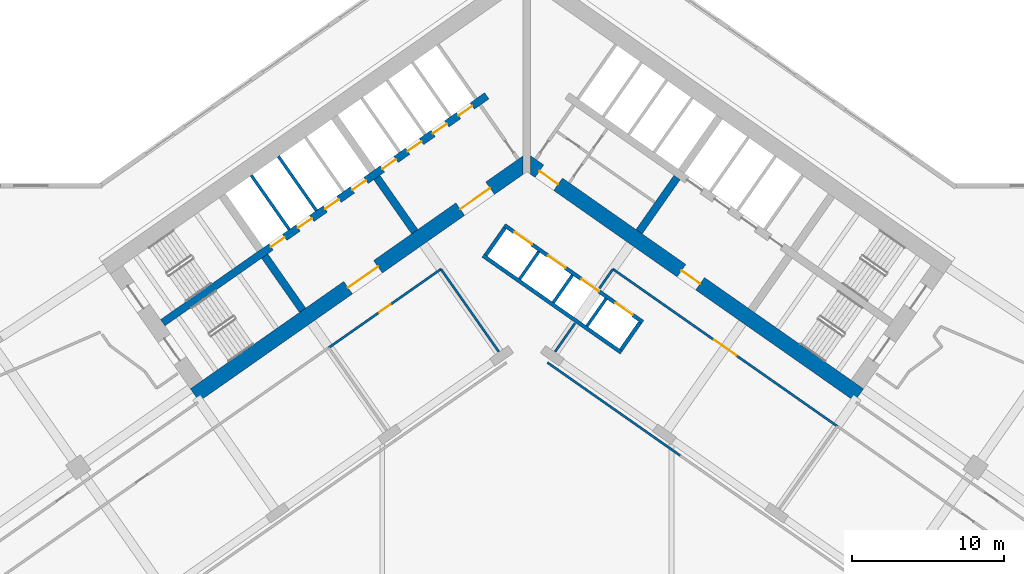
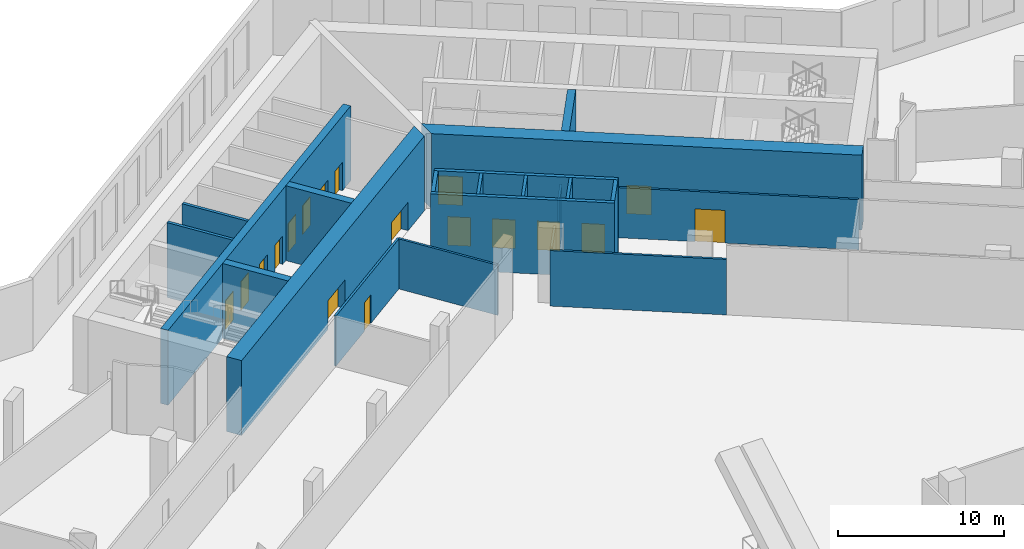
# One storey, part 10 of 26: 21 walls, 18 doors, 18 openings.
"""IFC4 building model written with IfcOpenShell, lengths in metres."""

import ifcopenshell
import ifcopenshell.guid

model = None  # the IFC model being written
_history = None  # IfcOwnerHistory: only IFC2X3 demands one
_inside = {}  # id of a spatial element -> (the spatial element, [elements in it])
_under = {}  # id of a project, library or spatial element -> (it, [spatial elements below it])
_declared = {}  # id of a project -> (the project, [libraries it declares])
_typed = {}  # id of a type object -> (the type object, [elements of that type])
_made_of = {}  # id of a material, layer set ... -> (it, [elements and type objects made of it])


def new_model(schema):
    """Start an empty IFC model of exactly this schema.

    Asked for "IFC4X3", IfcOpenShell would pick the latest addendum, in which some entities
    have other attributes; the version numbers below select the first issue.
    IFC2X3 requires an IfcOwnerHistory on every rooted entity: one is made here for all.
    """
    global model, _history
    if schema == "IFC4X3":
        model = ifcopenshell.file(schema_version=(4, 3, 0, 0))
    else:
        model = ifcopenshell.file(schema=schema)
    _inside.clear()
    _under.clear()
    _declared.clear()
    _typed.clear()
    _made_of.clear()
    _history = None
    if model.schema == "IFC2X3":
        org = make("IfcOrganization", Name="unknown")
        user = make(
            "IfcPersonAndOrganization",
            ThePerson=make("IfcPerson", FamilyName="unknown"),
            TheOrganization=org,
        )
        app = make(
            "IfcApplication",
            ApplicationDeveloper=org,
            Version="unknown",
            ApplicationFullName="unknown",
            ApplicationIdentifier="unknown",
        )
        _history = make(
            "IfcOwnerHistory",
            OwningUser=user,
            OwningApplication=app,
            ChangeAction="ADDED",
            CreationDate=0,
        )
    return model


def make(cls, **values):
    """One entity of the class cls with the attributes given. An attribute that is None is left unset."""
    return model.create_entity(
        cls, **{name: value for name, value in values.items() if value is not None}
    )


def rooted(cls, **values):
    """An entity with a GlobalId (a new one), such as an element, a storey or a relation."""
    return make(cls, GlobalId=ifcopenshell.guid.new(), OwnerHistory=_history, **values)


def si_unit(unit_type, name, prefix=None):
    """IfcSIUnit, for example si_unit("LENGTHUNIT", "METRE", prefix="MILLI")."""
    return make("IfcSIUnit", UnitType=unit_type, Prefix=prefix, Name=name)


def assignment(units):
    """IfcUnitAssignment: the units of a project."""
    return None if units is None else make("IfcUnitAssignment", Units=units)


def point(xyz):
    """IfcCartesianPoint."""
    return None if xyz is None else make("IfcCartesianPoint", Coordinates=xyz)


def direction(xyz):
    """IfcDirection."""
    return None if xyz is None else make("IfcDirection", DirectionRatios=xyz)


def frame(location, z_axis=None, x_axis=None):
    """IfcAxis2Placement3D, a coordinate frame: its origin and axes. An axis left out is left unset."""
    return make(
        "IfcAxis2Placement3D",
        Location=point(location),
        Axis=direction(z_axis),
        RefDirection=direction(x_axis),
    )


def frame_2d(location, x_axis=None):
    """IfcAxis2Placement2D, a coordinate frame in the plane: its origin and x axis."""
    return make(
        "IfcAxis2Placement2D", Location=point(location), RefDirection=direction(x_axis)
    )


def origin():
    """The frame at (0, 0, 0) with its axes left unset."""
    return frame((0.0, 0.0, 0.0))


def place(relative_to, where):
    """IfcLocalPlacement: puts the frame where relative to a parent placement (None: the world)."""
    return make(
        "IfcLocalPlacement", PlacementRelTo=relative_to, RelativePlacement=where
    )


def context(
    kind, dimensions, precision=None, world=None, true_north=None, identifier=None
):
    """IfcGeometricRepresentationContext, for example the 3D "Model" context."""
    return make(
        "IfcGeometricRepresentationContext",
        ContextIdentifier=identifier,
        ContextType=kind,
        CoordinateSpaceDimension=dimensions,
        Precision=precision,
        WorldCoordinateSystem=world,
        TrueNorth=true_north,
    )


def subcontext(parent, identifier, kind, view, scale=None):
    """IfcGeometricRepresentationSubContext, for example "Body" below "Model"."""
    return make(
        "IfcGeometricRepresentationSubContext",
        ContextIdentifier=identifier,
        ContextType=kind,
        ParentContext=parent,
        TargetScale=scale,
        TargetView=view,
    )


def project(units=None, contexts=None):
    """IfcProject with its units and contexts."""
    return rooted(
        "IfcProject",
        Name="project",
        RepresentationContexts=contexts,
        UnitsInContext=assignment(units),
    )


def spatial(cls, under=None, at=None, **own):
    """A site, building, storey or space (cls), placed at a placement, below another one or the project."""
    s = rooted(cls, ObjectPlacement=at, **own)
    if under is not None:
        _under.setdefault(under.id(), (under, []))[1].append(s)
    return s


def polyline(points):
    """IfcPolyline through the points."""
    return make("IfcPolyline", Points=[point(p) for p in points])


def profile(cls, at=None, kind="AREA", **sizes):
    """A parametric profile (cls). Its sizes go by their IFC names, for example OverallWidth=200.0."""
    return make(cls, ProfileType=kind, Position=at, **sizes)


def rectangle(**sizes):
    """IfcRectangleProfileDef."""
    return profile("IfcRectangleProfileDef", **sizes)


def outline(outer, holes=None, kind="AREA"):
    """IfcArbitraryClosedProfileDef: a profile drawn as a closed curve; with holes, ...WithVoids."""
    if holes is None:
        return make("IfcArbitraryClosedProfileDef", ProfileType=kind, OuterCurve=outer)
    return make(
        "IfcArbitraryProfileDefWithVoids",
        ProfileType=kind,
        OuterCurve=outer,
        InnerCurves=holes,
    )


def extrude(swept, where, along, depth):
    """IfcExtrudedAreaSolid: the profile swept, set in the frame where, extruded along a direction by depth."""
    return make(
        "IfcExtrudedAreaSolid",
        SweptArea=swept,
        Position=where,
        ExtrudedDirection=direction(along),
        Depth=depth,
    )


def shape(context_of_items, identifier, shape_type, items):
    """IfcShapeRepresentation: the items that make up one representation, for example the "Body"."""
    return make(
        "IfcShapeRepresentation",
        ContextOfItems=context_of_items,
        RepresentationIdentifier=identifier,
        RepresentationType=shape_type,
        Items=items,
    )


def material(Name=None, Category=None):
    """IfcMaterial."""
    return make("IfcMaterial", Name=Name, Category=Category)


def layer(
    of_material, thickness, ventilated=None, Name=None, Category=None, Priority=None
):
    """IfcMaterialLayer: one layer of a wall or slab, of a material (None: an air gap)."""
    return make(
        "IfcMaterialLayer",
        Material=of_material,
        LayerThickness=thickness,
        IsVentilated=ventilated,
        Name=Name,
        Category=Category,
        Priority=Priority,
    )


def layer_set(layers, Name=None):
    """IfcMaterialLayerSet."""
    return make("IfcMaterialLayerSet", MaterialLayers=layers, LayerSetName=Name)


def made_of(thing, what):
    """Note that an element or type object is made of a material, layer set ...; save() writes the relation."""
    if what is not None:
        _made_of.setdefault(what.id(), (what, []))[1].append(thing)
    return thing


def type_object(cls, material=None, **own):
    """A type object (cls), such as IfcWallType, which elements share."""
    return made_of(rooted(cls, **own), material)


def element(
    cls,
    number,
    at=None,
    inside=None,
    cuts=None,
    type_object=None,
    material=None,
    context=None,
    identifier="Body",
    shape_type=None,
    held_by="IfcProductDefinitionShape",
    body=None,
    shapes=None,
    **own,
):
    """One element of the class cls, such as IfcWall. Its Tag is "e" and its number.

    at: its placement. inside: the storey or other place that contains it. cuts: it is an
    opening in that element (IfcRelVoidsElement). A single representation is given by context,
    identifier, shape_type and body (its items); several are given by shapes. held_by: the class
    of the entity that holds the representations. save() writes the other relations.
    """
    e = rooted(cls, Tag="e%d" % number, ObjectPlacement=at, **own)
    if body is not None:
        shapes = [shape(context, identifier, shape_type, body)]
    if shapes is not None:
        e.Representation = make(held_by, Representations=shapes)
    if inside is not None:
        _inside.setdefault(inside.id(), (inside, []))[1].append(e)
    if cuts is not None:
        rooted(
            "IfcRelVoidsElement", RelatingBuildingElement=cuts, RelatedOpeningElement=e
        )
    if type_object is not None:
        _typed.setdefault(type_object.id(), (type_object, []))[1].append(e)
    return made_of(e, material)


def fill(opening, filler):
    """IfcRelFillsElement: the door or window that sits in an opening."""
    return rooted(
        "IfcRelFillsElement",
        RelatingOpeningElement=opening,
        RelatedBuildingElement=filler,
    )


def aggregate(whole, parts):
    """IfcRelAggregates: a whole, such as a stair, and the parts it consists of."""
    return rooted("IfcRelAggregates", RelatingObject=whole, RelatedObjects=parts)


def save(model, path):
    """Write the relations noted so far, then the file.

    IfcRelAggregates (storeys below a building ...), IfcRelContainedInSpatialStructure (elements
    in a storey), IfcRelDefinesByType, IfcRelAssociatesMaterial and IfcRelDeclares: one each for
    every whole, place, type object, material and project.
    """
    for whole, parts in _under.values():
        aggregate(whole, parts)
    for where, things in _inside.values():
        rooted(
            "IfcRelContainedInSpatialStructure",
            RelatedElements=things,
            RelatingStructure=where,
        )
    for kind, things in _typed.values():
        rooted("IfcRelDefinesByType", RelatedObjects=things, RelatingType=kind)
    for what, things in _made_of.values():
        rooted("IfcRelAssociatesMaterial", RelatedObjects=things, RelatingMaterial=what)
    for by, libraries in _declared.values():
        rooted("IfcRelDeclares", RelatingContext=by, RelatedDefinitions=libraries)
    model.write(path)


model = new_model("IFC4")

# Units and contexts
model_context = context("Model", 3, precision=1e-05, world=origin(), true_north=direction((0.0, 1.0)))
body_context = subcontext(model_context, "Body", "Model", "MODEL_VIEW")
ifc_project = project(units=[si_unit("LENGTHUNIT", "METRE"), si_unit("AREAUNIT", "SQUARE_METRE"), si_unit("VOLUMEUNIT", "CUBIC_METRE"), si_unit("PLANEANGLEUNIT", "RADIAN"), si_unit("MASSUNIT", "GRAM", prefix="KILO")], contexts=[model_context])

# Site, building, storey
site_placement = place(None, origin())
site = spatial("IfcSite", under=ifc_project, at=site_placement, CompositionType="ELEMENT")
building_placement = place(site_placement, origin())
building = spatial("IfcBuilding", under=site, at=building_placement, Name="Tel Ilan Convention Tower", CompositionType="ELEMENT")
storey_placement = place(building_placement, frame((0.0, 0.0, 32.0)))
storey = spatial("IfcBuildingStorey", under=building, at=storey_placement, Name="L04", CompositionType="ELEMENT", Elevation=32.0)

# Wall, openings, doors
ifc_material_1 = material(Name="Concrete C60/75", Category="concrete")
ifc_layer_1 = layer(ifc_material_1, 1.0)
ifc_layer_set_1 = layer_set([ifc_layer_1], Name="Core Shear Wall 1000 mm C60/75")
wall_type_1 = type_object("IfcWallType", Name="Core Shear Wall 1000 mm C60/75", PredefinedType="SHEAR", material=ifc_layer_set_1)
wall_1_placement = place(storey_placement, frame((0.036865234375, -0.584716796875, 0.0), z_axis=(0.0, 0.0, 1.0), x_axis=(-0.819157152511, -0.573569140985, 0.0)))
wall_1 = element("IfcWall", 1, at=wall_1_placement, inside=storey, type_object=wall_type_1, Name="L04 core wall W-front", PredefinedType="SHEAR", context=body_context, shape_type="SweptSolid", body=[
    extrude(outline(polyline([(26.69482421875, 0.500244140625), (0.7001953125, 0.499755859375), (0.0, -0.5), (26.69482421875, -0.499755859375), (26.69482421875, 0.500244140625)])), origin(), (0.0, 0.0, 1.0), 5.5),
])
opening_1_placement = place(wall_1_placement, frame((2.994873046875, 0.0, 0.0)))
opening_1 = element("IfcOpeningElement", 2, at=opening_1_placement, cuts=wall_1, Name="Opening CD0705", PredefinedType="OPENING", context=body_context, shape_type="SweptSolid", body=[
    extrude(rectangle(XDim=2.39990234375, YDim=2.10009765625, at=frame_2d((1.199951171875, 1.050048828125))), frame((0.0, 0.510009765625, 0.0), z_axis=(0.0, -1.0, 0.0), x_axis=(1.0, 0.0, 0.0)), (0.0, 0.0, 1.0), 1.02001953125),
])
opening_2_placement = place(wall_1_placement, frame((11.994873046875, 0.0, 0.0)))
opening_2 = element("IfcOpeningElement", 3, at=opening_2_placement, cuts=wall_1, Name="Opening CD0706", PredefinedType="OPENING", context=body_context, shape_type="SweptSolid", body=[
    extrude(rectangle(XDim=2.39990234375, YDim=2.10009765625, at=frame_2d((1.199951171875, 1.050048828125))), frame((0.0, 0.510009765625, 0.0), z_axis=(0.0, -1.0, 0.0), x_axis=(1.0, 0.0, 0.0)), (0.0, 0.0, 1.0), 1.02001953125),
])
ifc_material_2 = material(Name="Glazed Aluminium Door Leaf", Category="aluminium")
door_type_1 = type_object("IfcDoorType", Name="Lobby Opening Door 2400 x 2100 FD60S", OperationType="NOTDEFINED", PredefinedType="DOOR", material=ifc_material_2)
door_1_placement = place(opening_1_placement, origin())
door_1 = element("IfcDoor", 4, at=door_1_placement, inside=storey, type_object=door_type_1, Name="Lift Lobby LR1-LR4 opening", OperationType="DOUBLE_DOOR_SINGLE_SWING", OverallHeight=2.10009765625, OverallWidth=2.39990234375, PredefinedType="DOOR", context=body_context, shape_type="SweptSolid", body=[
    extrude(rectangle(XDim=2.39990234375, YDim=2.10009765625, at=frame_2d((1.199951171875, 1.050048828125))), frame((0.0, 0.02490234375, 0.0), z_axis=(0.0, -1.0, 0.0), x_axis=(1.0, 0.0, 0.0)), (0.0, 0.0, 1.0), 0.050048828125),
])
fill(opening_1, door_1)
door_2_placement = place(opening_2_placement, origin())
door_2 = element("IfcDoor", 5, at=door_2_placement, inside=storey, type_object=door_type_1, Name="Lift Lobby LR5-LR8 opening", OperationType="DOUBLE_DOOR_SINGLE_SWING", OverallHeight=2.10009765625, OverallWidth=2.39990234375, PredefinedType="DOOR", context=body_context, shape_type="SweptSolid", body=[
    extrude(rectangle(XDim=2.39990234375, YDim=2.10009765625, at=frame_2d((1.199951171875, 1.050048828125))), frame((0.0, 0.02490234375, 0.0), z_axis=(0.0, -1.0, 0.0), x_axis=(1.0, 0.0, 0.0)), (0.0, 0.0, 1.0), 0.050048828125),
])
fill(opening_2, door_2)

wall_2_placement = place(storey_placement, frame((-0.036865234375, -0.584716796875, 0.0), z_axis=(0.0, 0.0, 1.0), x_axis=(0.819157152511, -0.573569140985, 0.0)))
wall_2 = element("IfcWall", 6, at=wall_2_placement, inside=storey, type_object=wall_type_1, Name="L04 core wall E-front", PredefinedType="SHEAR", context=body_context, shape_type="SweptSolid", body=[
    extrude(outline(polyline([(26.69482421875, 0.499755859375), (0.0, 0.5), (0.7001953125, -0.499755859375), (26.69482421875, -0.500244140625), (26.69482421875, 0.499755859375)])), origin(), (0.0, 0.0, 1.0), 5.5),
])
opening_3_placement = place(wall_2_placement, frame((1.044921875, 0.0, 0.0)))
opening_3 = element("IfcOpeningElement", 7, at=opening_3_placement, cuts=wall_2, Name="Opening CD0703", PredefinedType="OPENING", context=body_context, shape_type="SweptSolid", body=[
    extrude(rectangle(XDim=1.5, YDim=2.10009765625, at=frame_2d((0.75, 1.050048828125))), frame((0.0, 0.510009765625, 0.0), z_axis=(0.0, -1.0, 0.0), x_axis=(1.0, 0.0, 0.0)), (0.0, 0.0, 1.0), 1.02001953125),
])
opening_4_placement = place(wall_2_placement, frame((12.44482421875, 0.0, 0.0)))
opening_4 = element("IfcOpeningElement", 8, at=opening_4_placement, cuts=wall_2, Name="Opening CD0704", PredefinedType="OPENING", context=body_context, shape_type="SweptSolid", body=[
    extrude(rectangle(XDim=1.5, YDim=2.10009765625, at=frame_2d((0.75, 1.050048828125))), frame((0.0, 0.510009765625, 0.0), z_axis=(0.0, -1.0, 0.0), x_axis=(1.0, 0.0, 0.0)), (0.0, 0.0, 1.0), 1.02001953125),
])
ifc_material_3 = material(Name="Glazed Aluminium Door Leaf", Category="aluminium")
door_type_2 = type_object("IfcDoorType", Name="Lobby Opening Door 1500 x 2100 FD60S", OperationType="NOTDEFINED", PredefinedType="DOOR", material=ifc_material_3)
door_3_placement = place(opening_4_placement, origin())
door_3 = element("IfcDoor", 9, at=door_3_placement, inside=storey, type_object=door_type_2, Name="Firefighting Lobby door", OperationType="DOUBLE_DOOR_SINGLE_SWING", OverallHeight=2.10009765625, OverallWidth=1.5, PredefinedType="DOOR", context=body_context, shape_type="SweptSolid", body=[
    extrude(rectangle(XDim=1.5, YDim=2.10009765625, at=frame_2d((0.75, 1.050048828125))), frame((0.0, 0.02490234375, 0.0), z_axis=(0.0, -1.0, 0.0), x_axis=(1.0, 0.0, 0.0)), (0.0, 0.0, 1.0), 0.050048828125),
])
fill(opening_4, door_3)
ifc_material_4 = material(Name="Laminated Timber Door Leaf", Category="wood")
door_type_3 = type_object("IfcDoorType", Name="Toilet Door 1500 x 2100 FD30S", OperationType="NOTDEFINED", PredefinedType="DOOR", material=ifc_material_4)
door_4_placement = place(opening_3_placement, origin())
door_4 = element("IfcDoor", 10, at=door_4_placement, inside=storey, type_object=door_type_3, Name="WC Lobby door", OperationType="SINGLE_SWING_RIGHT", OverallHeight=2.10009765625, OverallWidth=1.5, PredefinedType="DOOR", context=body_context, shape_type="SweptSolid", body=[
    extrude(rectangle(XDim=1.5, YDim=2.10009765625, at=frame_2d((0.75, 1.050048828125))), frame((0.0, 0.02490234375, 0.0), z_axis=(0.0, -1.0, 0.0), x_axis=(1.0, 0.0, 0.0)), (0.0, 0.0, 1.0), 0.050048828125),
])
fill(opening_3, door_4)

# Walls
ifc_material_5 = material(Name="Concrete C60/75", Category="concrete")
ifc_layer_2 = layer(ifc_material_5, 0.5)
ifc_layer_set_2 = layer_set([ifc_layer_2], Name="Core Shear Wall 500 mm C60/75")
wall_type_2 = type_object("IfcWallType", Name="Core Shear Wall 500 mm C60/75", PredefinedType="SHEAR", material=ifc_layer_set_2)
wall_3_placement = place(storey_placement, frame((-7.372314453125, -5.162109375, 0.0), z_axis=(0.0, 0.0, 1.0), x_axis=(-0.573594173421, 0.819139624372, 0.0)))
element("IfcWall", 11, at=wall_3_placement, inside=storey, type_object=wall_type_2, Name="L04 core wall W-cross1-1", PredefinedType="SHEAR", context=body_context, shape_type="SweptSolid", body=[
    extrude(outline(polyline([(4.349853515625, 0.25), (0.0, 0.250244140625), (0.0, -0.25), (4.349853515625, -0.25), (4.349853515625, 0.25)])), origin(), (0.0, 0.0, 1.0), 5.5),
])
wall_4_placement = place(storey_placement, frame((-14.74462890625, -10.324462890625, 0.0), z_axis=(0.0, 0.0, 1.0), x_axis=(-0.57356780395, 0.819158088694, 0.0)))
element("IfcWall", 12, at=wall_4_placement, inside=storey, type_object=wall_type_2, Name="L04 core wall W-cross2-1", PredefinedType="SHEAR", context=body_context, shape_type="SweptSolid", body=[
    extrude(outline(polyline([(4.35009765625, 0.250244140625), (0.0, 0.25), (0.0, -0.25), (4.35009765625, -0.25), (4.35009765625, 0.250244140625)])), origin(), (0.0, 0.0, 1.0), 5.5),
])

# Wall, openings, doors
wall_5_placement = place(storey_placement, frame((-2.638427734375, 3.76806640625, 0.0), z_axis=(0.0, 0.0, 1.0), x_axis=(-0.819148977158, -0.573580816643, 0.0)))
wall_5 = element("IfcWall", 13, at=wall_5_placement, inside=storey, type_object=wall_type_2, Name="L04 core wall W-spine", PredefinedType="SHEAR", context=body_context, shape_type="SweptSolid", body=[
    extrude(outline(polyline([(26.0, 0.249755859375), (0.0, 0.25), (0.0, -0.25), (26.0, -0.250244140625), (26.0, 0.249755859375)])), origin(), (0.0, 0.0, 1.0), 5.5),
])
opening_5_placement = place(wall_5_placement, frame((1.168701171875, 0.0, 0.0)))
opening_5 = element("IfcOpeningElement", 14, at=opening_5_placement, cuts=wall_5, Name="Opening LD0704", PredefinedType="OPENING", context=body_context, shape_type="SweptSolid", body=[
    extrude(rectangle(XDim=1.10009765625, YDim=2.10009765625, at=frame_2d((0.550048828125, 1.050048828125))), frame((0.0, 0.260009765625, 0.0), z_axis=(0.0, -1.0, 0.0), x_axis=(1.0, 0.0, 0.0)), (0.0, 0.0, 1.0), 0.52001953125),
])
opening_6_placement = place(wall_5_placement, frame((3.206298828125, 0.0, 0.0)))
opening_6 = element("IfcOpeningElement", 15, at=opening_6_placement, cuts=wall_5, Name="Opening LD0705", PredefinedType="OPENING", context=body_context, shape_type="SweptSolid", body=[
    extrude(rectangle(XDim=1.10009765625, YDim=2.10009765625, at=frame_2d((0.550048828125, 1.050048828125))), frame((0.0, 0.260009765625, 0.0), z_axis=(0.0, -1.0, 0.0), x_axis=(1.0, 0.0, 0.0)), (0.0, 0.0, 1.0), 0.52001953125),
])
opening_7_placement = place(wall_5_placement, frame((5.24365234375, 0.0, 0.0)))
opening_7 = element("IfcOpeningElement", 16, at=opening_7_placement, cuts=wall_5, Name="Opening LD0706", PredefinedType="OPENING", context=body_context, shape_type="SweptSolid", body=[
    extrude(rectangle(XDim=1.10009765625, YDim=2.10009765625, at=frame_2d((0.550048828125, 1.050048828125))), frame((0.0, 0.260009765625, 0.0), z_axis=(0.0, -1.0, 0.0), x_axis=(1.0, 0.0, 0.0)), (0.0, 0.0, 1.0), 0.52001953125),
])
opening_8_placement = place(wall_5_placement, frame((7.28125, 0.0, 0.0)))
opening_8 = element("IfcOpeningElement", 17, at=opening_8_placement, cuts=wall_5, Name="Opening LD0707", PredefinedType="OPENING", context=body_context, shape_type="SweptSolid", body=[
    extrude(rectangle(XDim=1.10009765625, YDim=2.10009765625, at=frame_2d((0.550048828125, 1.050048828125))), frame((0.0, 0.260009765625, 0.0), z_axis=(0.0, -1.0, 0.0), x_axis=(1.0, 0.0, 0.0)), (0.0, 0.0, 1.0), 0.52001953125),
])
opening_9_placement = place(wall_5_placement, frame((9.6875, 0.0, 0.0)))
opening_9 = element("IfcOpeningElement", 18, at=opening_9_placement, cuts=wall_5, Name="Opening LD0708", PredefinedType="OPENING", context=body_context, shape_type="SweptSolid", body=[
    extrude(rectangle(XDim=1.10009765625, YDim=2.10009765625, at=frame_2d((0.550048828125, 1.050048828125))), frame((0.0, 0.260009765625, 0.0), z_axis=(0.0, -1.0, 0.0), x_axis=(1.0, 0.0, 0.0)), (0.0, 0.0, 1.0), 0.52001953125),
])
opening_10_placement = place(wall_5_placement, frame((11.862548828125, 0.0, 0.0)))
opening_10 = element("IfcOpeningElement", 19, at=opening_10_placement, cuts=wall_5, Name="Opening LD0709", PredefinedType="OPENING", context=body_context, shape_type="SweptSolid", body=[
    extrude(rectangle(XDim=1.10009765625, YDim=2.10009765625, at=frame_2d((0.550048828125, 1.050048828125))), frame((0.0, 0.260009765625, 0.0), z_axis=(0.0, -1.0, 0.0), x_axis=(1.0, 0.0, 0.0)), (0.0, 0.0, 1.0), 0.52001953125),
])
opening_11_placement = place(wall_5_placement, frame((14.03759765625, 0.0, 0.0)))
opening_11 = element("IfcOpeningElement", 20, at=opening_11_placement, cuts=wall_5, Name="Opening LD0710", PredefinedType="OPENING", context=body_context, shape_type="SweptSolid", body=[
    extrude(rectangle(XDim=1.10009765625, YDim=2.10009765625, at=frame_2d((0.550048828125, 1.050048828125))), frame((0.0, 0.260009765625, 0.0), z_axis=(0.0, -1.0, 0.0), x_axis=(1.0, 0.0, 0.0)), (0.0, 0.0, 1.0), 0.52001953125),
])
opening_12_placement = place(wall_5_placement, frame((16.21240234375, 0.0, 0.0)))
opening_12 = element("IfcOpeningElement", 21, at=opening_12_placement, cuts=wall_5, Name="Opening LD0711", PredefinedType="OPENING", context=body_context, shape_type="SweptSolid", body=[
    extrude(rectangle(XDim=1.10009765625, YDim=2.10009765625, at=frame_2d((0.550048828125, 1.050048828125))), frame((0.0, 0.260009765625, 0.0), z_axis=(0.0, -1.0, 0.0), x_axis=(1.0, 0.0, 0.0)), (0.0, 0.0, 1.0), 0.52001953125),
])
ifc_material_6 = material(Name="Stainless Steel Sliding Door Leaf", Category="steel")
door_type_4 = type_object("IfcDoorType", Name="Lift Landing Door 1100 x 2100 FD120", OperationType="NOTDEFINED", PredefinedType="DOOR", material=ifc_material_6)
door_5_placement = place(opening_5_placement, origin())
door_5 = element("IfcDoor", 22, at=door_5_placement, inside=storey, type_object=door_type_4, Name="Lift LR1 landing door", OperationType="SLIDING_TO_LEFT", OverallHeight=2.10009765625, OverallWidth=1.10009765625, PredefinedType="DOOR", context=body_context, shape_type="SweptSolid", body=[
    extrude(rectangle(XDim=1.10009765625, YDim=2.10009765625, at=frame_2d((0.550048828125, 1.050048828125))), frame((0.0, 0.02490234375, 0.0), z_axis=(0.0, -1.0, 0.0), x_axis=(1.0, 0.0, 0.0)), (0.0, 0.0, 1.0), 0.050048828125),
])
fill(opening_5, door_5)
door_6_placement = place(opening_6_placement, origin())
door_6 = element("IfcDoor", 23, at=door_6_placement, inside=storey, type_object=door_type_4, Name="Lift LR2 landing door", OperationType="SLIDING_TO_RIGHT", OverallHeight=2.10009765625, OverallWidth=1.10009765625, PredefinedType="DOOR", context=body_context, shape_type="SweptSolid", body=[
    extrude(rectangle(XDim=1.10009765625, YDim=2.10009765625, at=frame_2d((0.550048828125, 1.050048828125))), frame((0.0, 0.02490234375, 0.0), z_axis=(0.0, -1.0, 0.0), x_axis=(1.0, 0.0, 0.0)), (0.0, 0.0, 1.0), 0.050048828125),
])
fill(opening_6, door_6)
door_7_placement = place(opening_7_placement, origin())
door_7 = element("IfcDoor", 24, at=door_7_placement, inside=storey, type_object=door_type_4, Name="Lift LR3 landing door", OperationType="SLIDING_TO_LEFT", OverallHeight=2.10009765625, OverallWidth=1.10009765625, PredefinedType="DOOR", context=body_context, shape_type="SweptSolid", body=[
    extrude(rectangle(XDim=1.10009765625, YDim=2.10009765625, at=frame_2d((0.550048828125, 1.050048828125))), frame((0.0, 0.02490234375, 0.0), z_axis=(0.0, -1.0, 0.0), x_axis=(1.0, 0.0, 0.0)), (0.0, 0.0, 1.0), 0.050048828125),
])
fill(opening_7, door_7)
door_8_placement = place(opening_8_placement, origin())
door_8 = element("IfcDoor", 25, at=door_8_placement, inside=storey, type_object=door_type_4, Name="Lift LR4 landing door", OperationType="SLIDING_TO_RIGHT", OverallHeight=2.10009765625, OverallWidth=1.10009765625, PredefinedType="DOOR", context=body_context, shape_type="SweptSolid", body=[
    extrude(rectangle(XDim=1.10009765625, YDim=2.10009765625, at=frame_2d((0.550048828125, 1.050048828125))), frame((0.0, 0.02490234375, 0.0), z_axis=(0.0, -1.0, 0.0), x_axis=(1.0, 0.0, 0.0)), (0.0, 0.0, 1.0), 0.050048828125),
])
fill(opening_8, door_8)
door_9_placement = place(opening_9_placement, origin())
door_9 = element("IfcDoor", 26, at=door_9_placement, inside=storey, type_object=door_type_4, Name="Lift LR5 landing door", OperationType="SLIDING_TO_LEFT", OverallHeight=2.10009765625, OverallWidth=1.10009765625, PredefinedType="DOOR", context=body_context, shape_type="SweptSolid", body=[
    extrude(rectangle(XDim=1.10009765625, YDim=2.10009765625, at=frame_2d((0.550048828125, 1.050048828125))), frame((0.0, 0.02490234375, 0.0), z_axis=(0.0, -1.0, 0.0), x_axis=(1.0, 0.0, 0.0)), (0.0, 0.0, 1.0), 0.050048828125),
])
fill(opening_9, door_9)
door_10_placement = place(opening_10_placement, origin())
door_10 = element("IfcDoor", 27, at=door_10_placement, inside=storey, type_object=door_type_4, Name="Lift LR6 landing door", OperationType="SLIDING_TO_RIGHT", OverallHeight=2.10009765625, OverallWidth=1.10009765625, PredefinedType="DOOR", context=body_context, shape_type="SweptSolid", body=[
    extrude(rectangle(XDim=1.10009765625, YDim=2.10009765625, at=frame_2d((0.550048828125, 1.050048828125))), frame((0.0, 0.02490234375, 0.0), z_axis=(0.0, -1.0, 0.0), x_axis=(1.0, 0.0, 0.0)), (0.0, 0.0, 1.0), 0.050048828125),
])
fill(opening_10, door_10)
door_11_placement = place(opening_11_placement, origin())
door_11 = element("IfcDoor", 28, at=door_11_placement, inside=storey, type_object=door_type_4, Name="Lift LR7 landing door", OperationType="SLIDING_TO_LEFT", OverallHeight=2.10009765625, OverallWidth=1.10009765625, PredefinedType="DOOR", context=body_context, shape_type="SweptSolid", body=[
    extrude(rectangle(XDim=1.10009765625, YDim=2.10009765625, at=frame_2d((0.550048828125, 1.050048828125))), frame((0.0, 0.02490234375, 0.0), z_axis=(0.0, -1.0, 0.0), x_axis=(1.0, 0.0, 0.0)), (0.0, 0.0, 1.0), 0.050048828125),
])
fill(opening_11, door_11)
door_12_placement = place(opening_12_placement, origin())
door_12 = element("IfcDoor", 29, at=door_12_placement, inside=storey, type_object=door_type_4, Name="Lift LR8 landing door", OperationType="SLIDING_TO_RIGHT", OverallHeight=2.10009765625, OverallWidth=1.10009765625, PredefinedType="DOOR", context=body_context, shape_type="SweptSolid", body=[
    extrude(rectangle(XDim=1.10009765625, YDim=2.10009765625, at=frame_2d((0.550048828125, 1.050048828125))), frame((0.0, 0.02490234375, 0.0), z_axis=(0.0, -1.0, 0.0), x_axis=(1.0, 0.0, 0.0)), (0.0, 0.0, 1.0), 0.050048828125),
])
fill(opening_12, door_12)

# Wall
wall_6_placement = place(storey_placement, frame((7.372314453125, -5.162109375, 0.0), z_axis=(0.0, 0.0, 1.0), x_axis=(0.573594173421, 0.819139624372, 0.0)))
element("IfcWall", 30, at=wall_6_placement, inside=storey, type_object=wall_type_2, Name="L04 core wall E-cross1-1", PredefinedType="SHEAR", context=body_context, shape_type="SweptSolid", body=[
    extrude(outline(polyline([(0.0, 0.25), (0.0, -0.250244140625), (4.349853515625, -0.25), (4.349853515625, 0.25), (0.0, 0.25)])), origin(), (0.0, 0.0, 1.0), 5.5),
])

# Wall, opening, door
ifc_material_7 = material(Name="Plasterboard on Steel Studs", Category="steel")
ifc_layer_3 = layer(ifc_material_7, 0.14990234375)
ifc_layer_set_3 = layer_set([ifc_layer_3], Name="Fire-rated Partition 150 EI 60")
wall_type_3 = type_object("IfcWallType", Name="Fire-rated Partition 150 EI 60", PredefinedType="PARTITIONING", material=ifc_layer_set_3)
wall_7_placement = place(storey_placement, frame((20.39794921875, -17.9453125, 0.0), z_axis=(0.0, 0.0, 1.0), x_axis=(-0.819147172988, 0.573583393228, 0.0)))
wall_7 = element("IfcWall", 31, at=wall_7_placement, inside=storey, type_object=wall_type_3, Name="Partition 002", PredefinedType="PARTITIONING", context=body_context, shape_type="SweptSolid", body=[
    extrude(rectangle(XDim=18.001953125, YDim=0.14990234375, at=frame_2d((9.0009765625, 0.0))), origin(), (0.0, 0.0, 1.0), 3.679931640625),
])
opening_13_placement = place(wall_7_placement, frame((8.10107421875, 0.0, 0.0)))
opening_13 = element("IfcOpeningElement", 32, at=opening_13_placement, cuts=wall_7, Name="Opening L04-004", PredefinedType="OPENING", context=body_context, shape_type="SweptSolid", body=[
    extrude(rectangle(XDim=1.800048828125, YDim=2.39990234375, at=frame_2d((0.89990234375, 1.199951171875))), frame((0.0, 0.0849609375, 0.0), z_axis=(0.0, -1.0, 0.0), x_axis=(1.0, 0.0, 0.0)), (0.0, 0.0, 1.0), 0.169921875),
])
ifc_material_8 = material(Name="Timber Door Leaf in Steel Frame", Category="steel")
door_type_5 = type_object("IfcDoorType", Name="Hall Double Fire Door 1800x2400", OperationType="NOTDEFINED", PredefinedType="DOOR", material=ifc_material_8)
door_13_placement = place(opening_13_placement, origin())
door_13 = element("IfcDoor", 33, at=door_13_placement, inside=storey, type_object=door_type_5, Name="Door L04-004", OperationType="DOUBLE_DOOR_SINGLE_SWING", OverallHeight=2.39990234375, OverallWidth=1.800048828125, PredefinedType="DOOR", context=body_context, shape_type="SweptSolid", body=[
    extrude(rectangle(XDim=1.800048828125, YDim=2.39990234375, at=frame_2d((0.89990234375, 1.199951171875))), frame((0.0, 0.02490234375, 0.0), z_axis=(0.0, -1.0, 0.0), x_axis=(1.0, 0.0, 0.0)), (0.0, 0.0, 1.0), 0.050048828125),
])
fill(opening_13, door_13)

wall_8_placement = place(storey_placement, frame((-5.651611328125, -7.61962890625, 0.0), z_axis=(0.0, 0.0, 1.0), x_axis=(-0.81915291695, -0.57357519006, 0.0)))
wall_8 = element("IfcWall", 34, at=wall_8_placement, inside=storey, type_object=wall_type_3, Name="Partition 005", PredefinedType="PARTITIONING", context=body_context, shape_type="SweptSolid", body=[
    extrude(rectangle(XDim=9.001953125, YDim=0.14990234375, at=frame_2d((4.5009765625, 0.0))), origin(), (0.0, 0.0, 1.0), 3.679931640625),
])
opening_14_placement = place(wall_8_placement, frame((4.051025390625, 0.0, 0.0)))
opening_14 = element("IfcOpeningElement", 35, at=opening_14_placement, cuts=wall_8, Name="Opening L04-001", PredefinedType="OPENING", context=body_context, shape_type="SweptSolid", body=[
    extrude(rectangle(XDim=0.89990234375, YDim=2.10009765625, at=frame_2d((0.449951171875, 1.050048828125))), frame((0.0, 0.0849609375, 0.0), z_axis=(0.0, -1.0, 0.0), x_axis=(1.0, 0.0, 0.0)), (0.0, 0.0, 1.0), 0.169921875),
])
ifc_material_9 = material(Name="Timber Door Leaf in Steel Frame", Category="steel")
door_type_6 = type_object("IfcDoorType", Name="Room Fire Door 900x2100", OperationType="NOTDEFINED", PredefinedType="DOOR", material=ifc_material_9)
door_14_placement = place(opening_14_placement, origin())
door_14 = element("IfcDoor", 36, at=door_14_placement, inside=storey, type_object=door_type_6, Name="Door L04-001", OperationType="SINGLE_SWING_RIGHT", OverallHeight=2.10009765625, OverallWidth=0.89990234375, PredefinedType="DOOR", context=body_context, shape_type="SweptSolid", body=[
    extrude(rectangle(XDim=0.89990234375, YDim=2.10009765625, at=frame_2d((0.449951171875, 1.050048828125))), frame((0.0, 0.02490234375, 0.0), z_axis=(0.0, -1.0, 0.0), x_axis=(1.0, 0.0, 0.0)), (0.0, 0.0, 1.0), 0.050048828125),
])
fill(opening_14, door_14)

# Walls
wall_9_placement = place(storey_placement, frame((10.0751953125, -19.872802734375, 0.0), z_axis=(0.0, 0.0, 1.0), x_axis=(-0.819148998885, 0.573580785615, 0.0)))
element("IfcWall", 37, at=wall_9_placement, inside=storey, type_object=wall_type_3, Name="Partition 019", PredefinedType="PARTITIONING", context=body_context, shape_type="SweptSolid", body=[
    extrude(rectangle(XDim=10.651611328125, YDim=0.14990234375, at=frame_2d((5.32568359375, 0.0))), origin(), (0.0, 0.0, 1.0), 4.080078125),
])
wall_10_placement = place(storey_placement, frame((1.848876953125, -13.050537109375, 0.0), z_axis=(0.0, 0.0, 1.0), x_axis=(0.57358452344, 0.819146381589, 0.0)))
element("IfcWall", 38, at=wall_10_placement, inside=storey, type_object=wall_type_3, Name="Partition 020", PredefinedType="PARTITIONING", context=body_context, shape_type="SweptSolid", body=[
    extrude(rectangle(XDim=2.27978515625, YDim=0.14990234375, at=frame_2d((1.139892578125, 0.0))), origin(), (0.0, 0.0, 1.0), 3.679931640625),
])
wall_11_placement = place(storey_placement, frame((4.7626953125, -8.889404296875, 0.0), z_axis=(0.0, 0.0, 1.0), x_axis=(0.573494057365, 0.819209720504, 0.0)))
element("IfcWall", 39, at=wall_11_placement, inside=storey, type_object=wall_type_3, Name="Partition 021", PredefinedType="PARTITIONING", context=body_context, shape_type="SweptSolid", body=[
    extrude(rectangle(XDim=1.550048828125, YDim=0.14990234375, at=frame_2d((0.77490234375, 0.0))), origin(), (0.0, 0.0, 1.0), 3.679931640625),
])
wall_12_placement = place(storey_placement, frame((-1.848876953125, -13.050537109375, 0.0), z_axis=(0.0, 0.0, 1.0), x_axis=(-0.573575988258, 0.819152358047, 0.0)))
element("IfcWall", 40, at=wall_12_placement, inside=storey, type_object=wall_type_3, Name="Partition 087", PredefinedType="PARTITIONING", context=body_context, shape_type="SweptSolid", body=[
    extrude(rectangle(XDim=6.632080078125, YDim=0.14990234375, at=frame_2d((3.31591796875, 0.0))), origin(), (0.0, 0.0, 1.0), 3.679931640625),
])
ifc_material_10 = material(Name="Concrete C30/37", Category="concrete")
ifc_layer_4 = layer(ifc_material_10, 0.199951171875)
ifc_layer_set_4 = layer_set([ifc_layer_4], Name="Lift Shaft Wall 200 mm C30/37")
wall_type_4 = type_object("IfcWallType", Name="Lift Shaft Wall 200 mm C30/37", PredefinedType="SOLIDWALL", material=ifc_layer_set_4)
wall_13_placement = place(storey_placement, frame((-13.84033203125, -3.7705078125, 0.0), z_axis=(0.0, 0.0, 1.0), x_axis=(-0.57356780395, 0.819158088694, 0.0)))
element("IfcWall", 41, at=wall_13_placement, inside=storey, type_object=wall_type_4, Name="L04 core wall bank-W2-p1", PredefinedType="SOLIDWALL", context=body_context, shape_type="SweptSolid", body=[
    extrude(rectangle(XDim=4.35009765625, YDim=0.199951171875, at=frame_2d((2.175048828125, 0.0))), origin(), (0.0, 0.0, 1.0), 5.5),
])
wall_14_placement = place(storey_placement, frame((-15.6220703125, -5.017822265625, 0.0), z_axis=(0.0, 0.0, 1.0), x_axis=(-0.573594173421, 0.819139624372, 0.0)))
element("IfcWall", 42, at=wall_14_placement, inside=storey, type_object=wall_type_4, Name="L04 core wall bank-W2-p2", PredefinedType="SOLIDWALL", context=body_context, shape_type="SweptSolid", body=[
    extrude(rectangle(XDim=4.349853515625, YDim=0.199951171875, at=frame_2d((2.1748046875, 0.0))), origin(), (0.0, 0.0, 1.0), 5.5),
])
for number, where, z_axis, x_axis, name in (
    (43, (-0.48046875, -8.27001953125, 0.0), (0.0, 0.0, 1.0), (0.573633636671, 0.819111989218, 0.0), "L04 core wall pl-part-0"),
    (44, (1.731201171875, -9.818603515625, 0.0), (0.0, 0.0, 1.0), (0.573633636671, 0.819111989218, 0.0), "L04 core wall pl-part-1"),
    (45, (3.943115234375, -11.367431640625, 0.0), (0.0, 0.0, 1.0), (0.573507030513, 0.819200638399, 0.0), "L04 core wall pl-part-2"),
):
    element("IfcWall", number, at=place(storey_placement, frame(where, z_axis=z_axis, x_axis=x_axis)), inside=storey, type_object=wall_type_4, Name=name, PredefinedType="SOLIDWALL", context=body_context, shape_type="SweptSolid", body=[
        extrude(rectangle(XDim=2.199951171875, YDim=0.199951171875, at=frame_2d((1.10009765625, 0.0))), origin(), (0.0, 0.0, 1.0), 5.5),
    ])
ifc_material_11 = material(Name="Concrete C30/37", Category="concrete")
ifc_layer_5 = layer(ifc_material_11, 0.25)
ifc_layer_set_5 = layer_set([ifc_layer_5], Name="Lift Shaft Wall 250 mm C30/37")
wall_type_5 = type_object("IfcWallType", Name="Lift Shaft Wall 250 mm C30/37", PredefinedType="SOLIDWALL", material=ifc_layer_set_5)
wall_15_placement = place(storey_placement, frame((-2.88671875, -6.73779296875, 0.0), z_axis=(0.0, 0.0, 1.0), x_axis=(0.819150280716, -0.573578954985, 0.0)))
element("IfcWall", 46, at=wall_15_placement, inside=storey, type_object=wall_type_5, Name="L04 core wall pl-back", PredefinedType="SOLIDWALL", context=body_context, shape_type="SweptSolid", body=[
    extrude(rectangle(XDim=11.099853515625, YDim=0.25, at=frame_2d((5.5498046875, 0.0))), origin(), (0.0, 0.0, 1.0), 5.5),
])

# Wall, openings, doors
wall_16_placement = place(storey_placement, frame((-1.4814453125, -4.73095703125, 0.0), z_axis=(0.0, 0.0, 1.0), x_axis=(0.819150280716, -0.573578954985, 0.0)))
wall_16 = element("IfcWall", 47, at=wall_16_placement, inside=storey, type_object=wall_type_5, Name="L04 core wall pl-front", PredefinedType="SOLIDWALL", context=body_context, shape_type="SweptSolid", body=[
    extrude(rectangle(XDim=11.099853515625, YDim=0.25, at=frame_2d((5.5498046875, 0.0))), origin(), (0.0, 0.0, 1.0), 5.5),
])
opening_15_placement = place(wall_16_placement, frame((0.800048828125, 0.0, 0.0)))
opening_15 = element("IfcOpeningElement", 48, at=opening_15_placement, cuts=wall_16, Name="Opening LD0712", PredefinedType="OPENING", context=body_context, shape_type="SweptSolid", body=[
    extrude(rectangle(XDim=1.39990234375, YDim=2.10009765625, at=frame_2d((0.699951171875, 1.050048828125))), frame((0.0, 0.135009765625, 0.0), z_axis=(0.0, -1.0, 0.0), x_axis=(1.0, 0.0, 0.0)), (0.0, 0.0, 1.0), 0.27001953125),
])
opening_16_placement = place(wall_16_placement, frame((3.5, 0.0, 0.0)))
opening_16 = element("IfcOpeningElement", 49, at=opening_16_placement, cuts=wall_16, Name="Opening LD0713", PredefinedType="OPENING", context=body_context, shape_type="SweptSolid", body=[
    extrude(rectangle(XDim=1.39990234375, YDim=2.10009765625, at=frame_2d((0.699951171875, 1.050048828125))), frame((0.0, 0.135009765625, 0.0), z_axis=(0.0, -1.0, 0.0), x_axis=(1.0, 0.0, 0.0)), (0.0, 0.0, 1.0), 0.27001953125),
])
opening_17_placement = place(wall_16_placement, frame((6.199951171875, 0.0, 0.0)))
opening_17 = element("IfcOpeningElement", 50, at=opening_17_placement, cuts=wall_16, Name="Opening LD0714", PredefinedType="OPENING", context=body_context, shape_type="SweptSolid", body=[
    extrude(rectangle(XDim=1.39990234375, YDim=2.10009765625, at=frame_2d((0.699951171875, 1.050048828125))), frame((0.0, 0.135009765625, 0.0), z_axis=(0.0, -1.0, 0.0), x_axis=(1.0, 0.0, 0.0)), (0.0, 0.0, 1.0), 0.27001953125),
])
opening_18_placement = place(wall_16_placement, frame((8.89990234375, 0.0, 0.0)))
opening_18 = element("IfcOpeningElement", 51, at=opening_18_placement, cuts=wall_16, Name="Opening LD0715", PredefinedType="OPENING", context=body_context, shape_type="SweptSolid", body=[
    extrude(rectangle(XDim=1.39990234375, YDim=2.10009765625, at=frame_2d((0.699951171875, 1.050048828125))), frame((0.0, 0.135009765625, 0.0), z_axis=(0.0, -1.0, 0.0), x_axis=(1.0, 0.0, 0.0)), (0.0, 0.0, 1.0), 0.27001953125),
])
ifc_material_12 = material(Name="Stainless Steel Sliding Door Leaf", Category="steel")
door_type_7 = type_object("IfcDoorType", Name="Lift Landing Door 1400 x 2100 FD120", OperationType="NOTDEFINED", PredefinedType="DOOR", material=ifc_material_12)
door_15_placement = place(opening_15_placement, origin())
door_15 = element("IfcDoor", 52, at=door_15_placement, inside=storey, type_object=door_type_7, Name="Lift PL1 landing door", OperationType="SLIDING_TO_LEFT", OverallHeight=2.10009765625, OverallWidth=1.39990234375, PredefinedType="DOOR", context=body_context, shape_type="SweptSolid", body=[
    extrude(rectangle(XDim=1.39990234375, YDim=2.10009765625, at=frame_2d((0.699951171875, 1.050048828125))), frame((0.0, 0.02490234375, 0.0), z_axis=(0.0, -1.0, 0.0), x_axis=(1.0, 0.0, 0.0)), (0.0, 0.0, 1.0), 0.050048828125),
])
fill(opening_15, door_15)
door_16_placement = place(opening_16_placement, origin())
door_16 = element("IfcDoor", 53, at=door_16_placement, inside=storey, type_object=door_type_7, Name="Lift PL2 landing door", OperationType="SLIDING_TO_RIGHT", OverallHeight=2.10009765625, OverallWidth=1.39990234375, PredefinedType="DOOR", context=body_context, shape_type="SweptSolid", body=[
    extrude(rectangle(XDim=1.39990234375, YDim=2.10009765625, at=frame_2d((0.699951171875, 1.050048828125))), frame((0.0, 0.02490234375, 0.0), z_axis=(0.0, -1.0, 0.0), x_axis=(1.0, 0.0, 0.0)), (0.0, 0.0, 1.0), 0.050048828125),
])
fill(opening_16, door_16)
door_17_placement = place(opening_17_placement, origin())
door_17 = element("IfcDoor", 54, at=door_17_placement, inside=storey, type_object=door_type_7, Name="Lift PL3 landing door", OperationType="SLIDING_TO_LEFT", OverallHeight=2.10009765625, OverallWidth=1.39990234375, PredefinedType="DOOR", context=body_context, shape_type="SweptSolid", body=[
    extrude(rectangle(XDim=1.39990234375, YDim=2.10009765625, at=frame_2d((0.699951171875, 1.050048828125))), frame((0.0, 0.02490234375, 0.0), z_axis=(0.0, -1.0, 0.0), x_axis=(1.0, 0.0, 0.0)), (0.0, 0.0, 1.0), 0.050048828125),
])
fill(opening_17, door_17)
door_18_placement = place(opening_18_placement, origin())
door_18 = element("IfcDoor", 55, at=door_18_placement, inside=storey, type_object=door_type_7, Name="Lift PL4 landing door", OperationType="SLIDING_TO_RIGHT", OverallHeight=2.10009765625, OverallWidth=1.39990234375, PredefinedType="DOOR", context=body_context, shape_type="SweptSolid", body=[
    extrude(rectangle(XDim=1.39990234375, YDim=2.10009765625, at=frame_2d((0.699951171875, 1.050048828125))), frame((0.0, 0.02490234375, 0.0), z_axis=(0.0, -1.0, 0.0), x_axis=(1.0, 0.0, 0.0)), (0.0, 0.0, 1.0), 0.050048828125),
])
fill(opening_18, door_18)

# Walls
wall_17_placement = place(storey_placement, frame((-2.712646484375, -6.70703125, 0.0), z_axis=(0.0, 0.0, 1.0), x_axis=(0.573581496053, 0.819148501424, 0.0)))
element("IfcWall", 56, at=wall_17_placement, inside=storey, type_object=wall_type_5, Name="L04 core wall pl-end-a", PredefinedType="SOLIDWALL", context=body_context, shape_type="SweptSolid", body=[
    extrude(rectangle(XDim=2.2001953125, YDim=0.25, at=frame_2d((1.10009765625, 0.0))), origin(), (0.0, 0.0, 1.0), 5.5),
])
wall_18_placement = place(storey_placement, frame((6.17529296875, -12.930419921875, 0.0), z_axis=(0.0, 0.0, 1.0), x_axis=(0.573559170999, 0.819164133348, 0.0)))
element("IfcWall", 57, at=wall_18_placement, inside=storey, type_object=wall_type_5, Name="L04 core wall pl-end-b", PredefinedType="SOLIDWALL", context=body_context, shape_type="SweptSolid", body=[
    extrude(rectangle(XDim=2.19970703125, YDim=0.25, at=frame_2d((1.099853515625, 0.0))), origin(), (0.0, 0.0, 1.0), 5.5),
])

save(model, "model.ifc")
